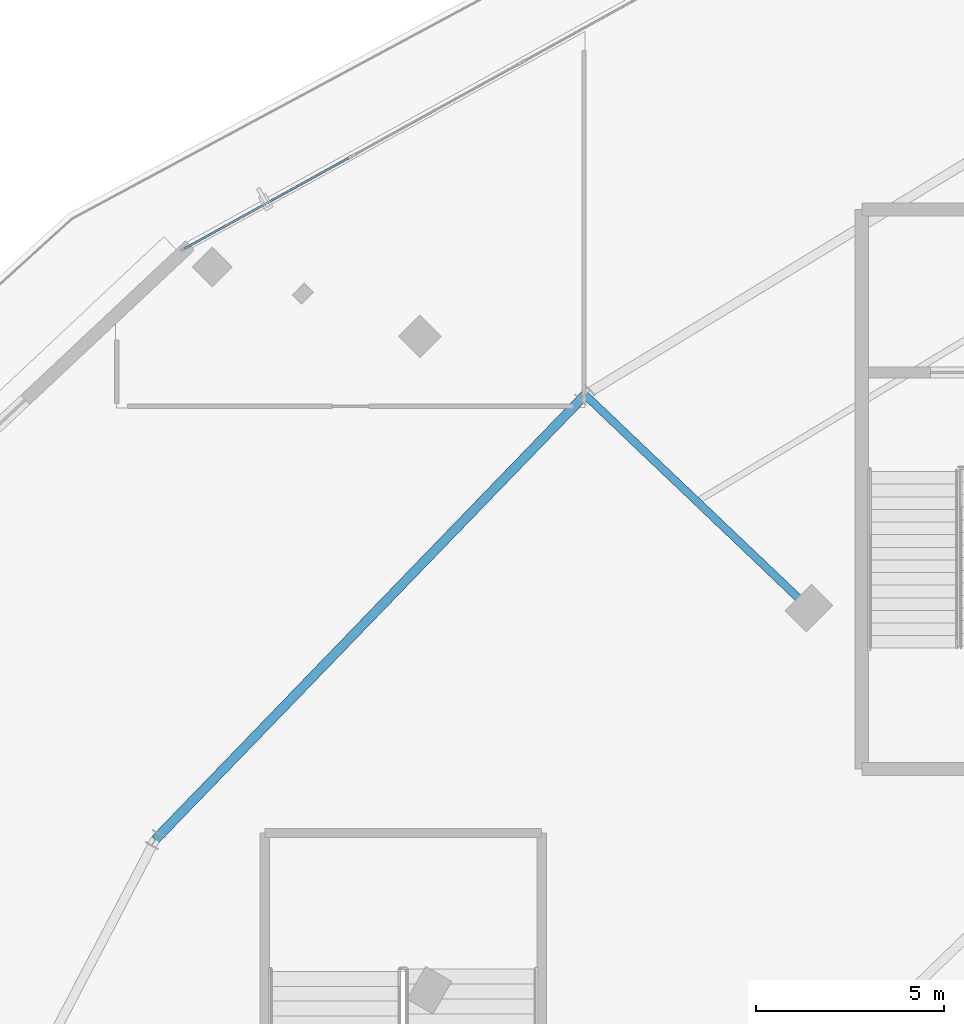
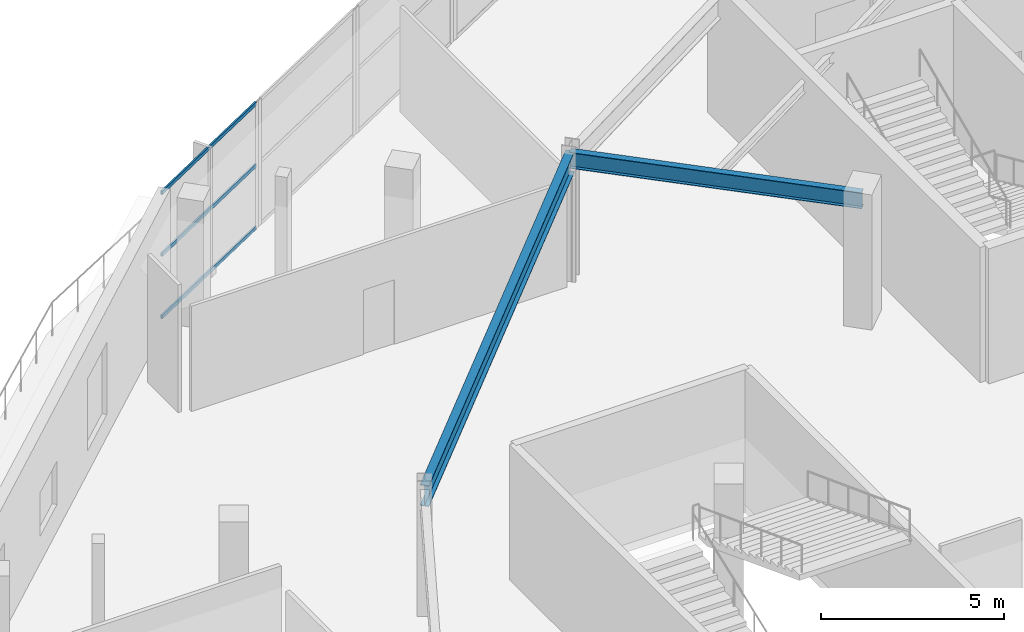
# One storey, part 29 of 107: 3 members, 2 beams, 1 element without a shape of its own.
"""IFC4 building model written with IfcOpenShell, lengths in metres."""

from ifc_helpers import new_model, si_unit, direction, frame, origin, origin_2d, place, context, subcontext, project, spatial, hollow_rectangle, i_section, extrude, material, layer, layer_set, material_profile, profile_set, type_object, element, aggregate, save


model = new_model("IFC4")

# Units and contexts
model_context = context("Model", 3, precision=1e-05, world=origin(), true_north=direction((0.0, 1.0)))
body_context = subcontext(model_context, "Body", "Model", "MODEL_VIEW")
ifc_project = project(units=[si_unit("LENGTHUNIT", "METRE"), si_unit("AREAUNIT", "SQUARE_METRE"), si_unit("VOLUMEUNIT", "CUBIC_METRE"), si_unit("PLANEANGLEUNIT", "RADIAN"), si_unit("MASSUNIT", "GRAM", prefix="KILO")], contexts=[model_context])

# Site, building, storey
site_placement = place(None, origin())
site = spatial("IfcSite", under=ifc_project, at=site_placement, CompositionType="ELEMENT")
building_placement = place(site_placement, origin())
building = spatial("IfcBuilding", under=site, at=building_placement, Name="Kalgoora Escarpment Arena", CompositionType="ELEMENT")
storey_placement = place(building_placement, frame((0.0, 0.0, 5.39990234375)))
storey = spatial("IfcBuildingStorey", under=building, at=storey_placement, Name="L01", CompositionType="ELEMENT", Elevation=5.39990234375)

# Beams
ifc_material_1 = material(Name="Structural steel AS/NZS 3679 (300 MPa)", Category="steel")
ifc_material_profile_1 = material_profile(ifc_material_1, i_section(OverallWidth=0.208984375, OverallDepth=0.532958984375, WebThickness=0.01025390625, FlangeThickness=0.015625, at=origin_2d()))
ifc_profile_set_1 = profile_set([ifc_material_profile_1], Name="Structural steel AS/NZS 3679 (300 MPa)")
beam_type_1 = type_object("IfcBeamType", Name="BM-GIRDER-530UB92.4", PredefinedType="USERDEFINED", material=ifc_profile_set_1)
beam_1_placement = place(storey_placement, frame((47.5693359375, 98.648193359375, 3.963623046875), z_axis=(-0.724130144905, 0.689663347757, 0.0), x_axis=(-0.689663347757, -0.724130144905, 0.0)))
element("IfcBeam", 1, at=beam_1_placement, inside=storey, type_object=beam_type_1, Name="L01 Radial concourse girder 530UB92.4", ObjectType="GIRDER", PredefinedType="USERDEFINED", context=body_context, shape_type="SweptSolid", body=[
    extrude(i_section(OverallWidth=0.208984375, OverallDepth=0.532958984375, WebThickness=0.01025390625, FlangeThickness=0.015625, at=origin_2d()), origin(), (0.0, 0.0, 1.0), 8.20263671875),
])
ifc_material_2 = material(Name="Structural steel AS/NZS 3679 (300 MPa)", Category="steel")
ifc_material_profile_2 = material_profile(ifc_material_2, i_section(OverallWidth=0.25, OverallDepth=0.699951171875, WebThickness=0.010009765625, FlangeThickness=0.02001953125, at=origin_2d()))
ifc_profile_set_2 = profile_set([ifc_material_profile_2], Name="Structural steel AS/NZS 3679 (300 MPa)")
beam_type_2 = type_object("IfcBeamType", Name="BM-SPANDREL-700WB130", PredefinedType="SPANDREL", material=ifc_profile_set_2)
beam_2_placement = place(storey_placement, frame((41.629638671875, 104.30517578125, 3.880126953125), z_axis=(-0.694974435465, -0.719034445663, 0.0), x_axis=(0.719034445663, -0.694974435465, 0.0)))
element("IfcBeam", 2, at=beam_2_placement, inside=storey, type_object=beam_type_2, Name="L01 Circumferential concourse girder RCONC2 700WB130", PredefinedType="SPANDREL", context=body_context, shape_type="SweptSolid", body=[
    extrude(i_section(OverallWidth=0.25, OverallDepth=0.699951171875, WebThickness=0.010009765625, FlangeThickness=0.02001953125, at=origin_2d()), origin(), (0.0, 0.0, 1.0), 16.418212890625),
])

# Curtain wall, members
ifc_material_3 = material(Name=" Champagne anodised aluminium & double-glazed low-E", Category="aluminium")
ifc_layer = layer(ifc_material_3, 0.162109375)
ifc_layer_set = layer_set([ifc_layer], Name="CW-UNIT-18")
curtain_wall_type = type_object("IfcCurtainWallType", Name="CW-UNIT-18", PredefinedType="NOTDEFINED", material=ifc_layer_set)
curtain_wall_placement = place(storey_placement, origin())
curtain_wall = element("IfcCurtainWall", 3, at=curtain_wall_placement, inside=storey, type_object=curtain_wall_type, Name="L01 unitised facade curtain wall 017", PredefinedType="NOTDEFINED")
ifc_material_4 = material(Name="Anodised aluminium 6063-T6", Category="aluminium")
ifc_material_profile_3 = material_profile(ifc_material_4, hollow_rectangle(XDim=0.054931640625, YDim=0.1201171875, WallThickness=0.003173828125, at=origin_2d()))
ifc_profile_set_3 = profile_set([ifc_material_profile_3], Name="Anodised aluminium 6063-T6")
member_type = type_object("IfcMemberType", Name="MEM-CW-TRAN-120", PredefinedType="USERDEFINED", material=ifc_profile_set_3)
member_1_placement = place(storey_placement, frame((30.9921875, 108.188720703125, 0.047607421875), z_axis=(0.875418042995, 0.483366579314, 0.0), x_axis=(-0.483366579314, 0.875418042995, 0.0)))
member_1 = element("IfcMember", 4, at=member_1_placement, type_object=member_type, Name="CW-18 transom 1.1", ObjectType="TRANSOM", PredefinedType="USERDEFINED", context=body_context, shape_type="SweptSolid", body=[
    extrude(hollow_rectangle(XDim=0.054931640625, YDim=0.1201171875, WallThickness=0.003173828125, at=origin_2d()), origin(), (0.0, 0.0, 1.0), 4.9755859375),
])
member_2_placement = place(storey_placement, frame((30.9921875, 108.188720703125, 2.125), z_axis=(0.875418042995, 0.483366579314, 0.0), x_axis=(-0.483366579314, 0.875418042995, 0.0)))
member_2 = element("IfcMember", 5, at=member_2_placement, type_object=member_type, Name="CW-18 transom 1.2", ObjectType="TRANSOM", PredefinedType="USERDEFINED", context=body_context, shape_type="SweptSolid", body=[
    extrude(hollow_rectangle(XDim=0.054931640625, YDim=0.1201171875, WallThickness=0.003173828125, at=origin_2d()), origin(), (0.0, 0.0, 1.0), 4.9755859375),
])
member_3_placement = place(storey_placement, frame((30.9921875, 108.188720703125, 4.1826171875), z_axis=(0.875418042995, 0.483366579314, 0.0), x_axis=(-0.483366579314, 0.875418042995, 0.0)))
member_3 = element("IfcMember", 6, at=member_3_placement, type_object=member_type, Name="CW-18 transom 1.3", ObjectType="TRANSOM", PredefinedType="USERDEFINED", context=body_context, shape_type="SweptSolid", body=[
    extrude(hollow_rectangle(XDim=0.054931640625, YDim=0.1201171875, WallThickness=0.003173828125, at=origin_2d()), origin(), (0.0, 0.0, 1.0), 4.9755859375),
])
aggregate(curtain_wall, [member_1, member_2, member_3])

save(model, "model.ifc")
